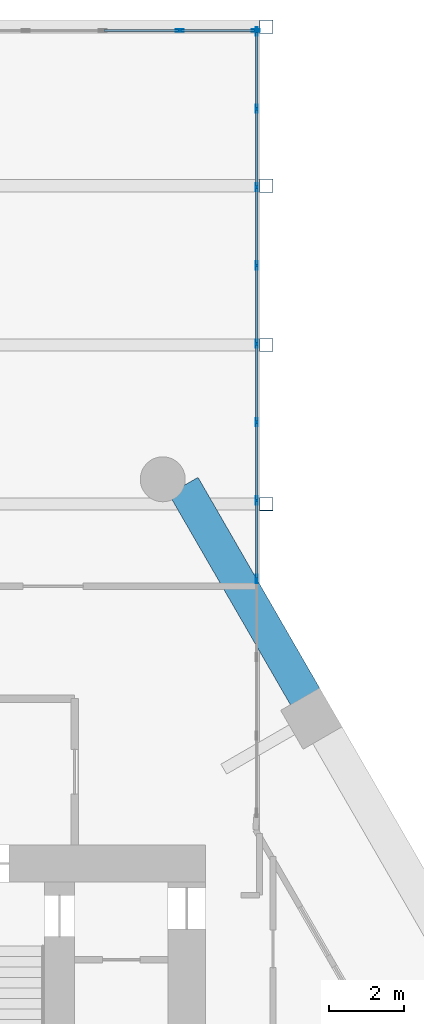
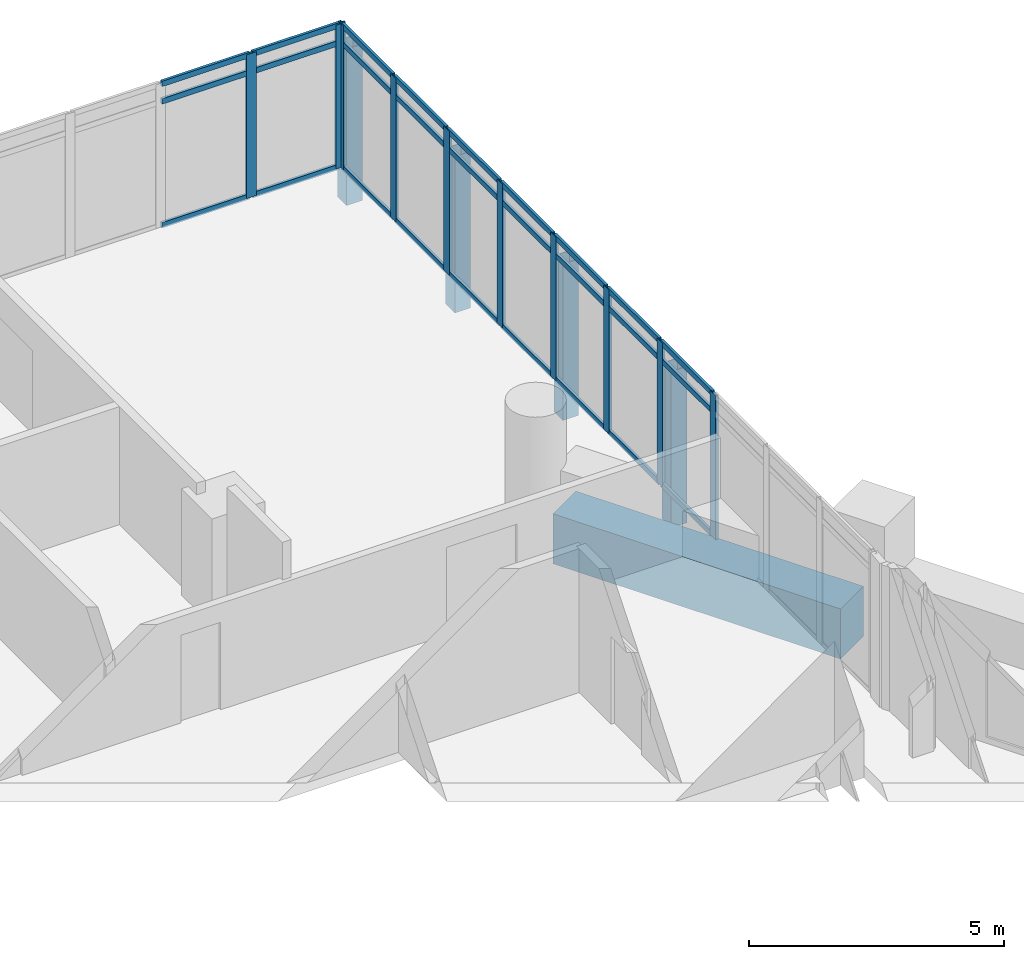
# One storey, part 19 of 28: 41 members, 1 beam, 2 elements without a shape of their own.
"""IFC4 building model written with IfcOpenShell, lengths in metres."""

from ifc_helpers import new_model, si_unit, direction, frame, origin, origin_2d, place, context, subcontext, project, spatial, rectangle, hollow_rectangle, extrude, material, material_profile, profile_set, type_object, element, aggregate, save


model = new_model("IFC4")

# Units and contexts
model_context = context("Model", 3, precision=1e-05, world=origin(), true_north=direction((0.0, 1.0)))
body_context = subcontext(model_context, "Body", "Model", "MODEL_VIEW")
ifc_project = project(units=[si_unit("LENGTHUNIT", "METRE"), si_unit("AREAUNIT", "SQUARE_METRE"), si_unit("VOLUMEUNIT", "CUBIC_METRE"), si_unit("PLANEANGLEUNIT", "RADIAN"), si_unit("MASSUNIT", "GRAM", prefix="KILO")], contexts=[model_context])

# Site, building, storey
site_placement = place(None, origin())
site = spatial("IfcSite", under=ifc_project, at=site_placement, CompositionType="ELEMENT")
building_placement = place(site_placement, origin())
building = spatial("IfcBuilding", under=site, at=building_placement, Name="Ostrander Bayou Hotel Tower", CompositionType="ELEMENT")
storey_placement = place(building_placement, frame((0.0, 0.0, 100.5)))
storey = spatial("IfcBuildingStorey", under=building, at=storey_placement, Name="L25", CompositionType="ELEMENT", Elevation=100.5)

# Curtain wall, members
ifc_material_1 = material(Name="Aluminium and clear glass", Category="aluminium")
curtain_wall_type = type_object("IfcCurtainWallType", Name="CW-BAR glazed wall", PredefinedType="NOTDEFINED", material=ifc_material_1)
curtain_wall_1_placement = place(storey_placement, origin())
curtain_wall_1 = element("IfcCurtainWall", 1, at=curtain_wall_1_placement, inside=storey, type_object=curtain_wall_type, Name="CW-BAR L25:SB2N:T", PredefinedType="NOTDEFINED")
ifc_material_2 = material(Name="Aluminium", Category="aluminium")
ifc_material_profile_1 = material_profile(ifc_material_2, hollow_rectangle(XDim=0.06005859375, YDim=0.219970703125, WallThickness=0.00390625, at=origin_2d()))
ifc_profile_set_1 = profile_set([ifc_material_profile_1], Name="Aluminium")
member_type_1 = type_object("IfcMemberType", Name="CW-BR mullion 60 x 220 mm", PredefinedType="MULLION", material=ifc_profile_set_1)
member_1_placement = place(storey_placement, frame((11.310791015625, 31.4453125, 0.0), z_axis=(0.0, 0.0, 1.0), x_axis=(0.0, 1.0, 0.0)))
member_1 = element("IfcMember", 2, at=member_1_placement, type_object=member_type_1, Name="CW-BAR mullion 13", PredefinedType="MULLION", context=body_context, shape_type="SweptSolid", body=[
    extrude(hollow_rectangle(XDim=0.06005859375, YDim=0.219970703125, WallThickness=0.00390625, at=origin_2d()), origin(), (0.0, 0.0, 1.0), 3.449951171875),
])
member_2_placement = place(storey_placement, frame((13.337158203125, 31.4453125, 0.0), z_axis=(0.0, 0.0, 1.0), x_axis=(0.0, 1.0, 0.0)))
member_2 = element("IfcMember", 3, at=member_2_placement, type_object=member_type_1, Name="CW-BAR mullion 14", PredefinedType="MULLION", context=body_context, shape_type="SweptSolid", body=[
    extrude(hollow_rectangle(XDim=0.06005859375, YDim=0.219970703125, WallThickness=0.00390625, at=origin_2d()), origin(), (0.0, 0.0, 1.0), 3.449951171875),
])

curtain_wall_2_placement = place(storey_placement, origin())
curtain_wall_2 = element("IfcCurtainWall", 4, at=curtain_wall_2_placement, inside=storey, type_object=curtain_wall_type, Name="CW-BAR L25:SB2N:W", PredefinedType="NOTDEFINED")
member_3_placement = place(storey_placement, frame((13.3671875, 16.797607421875, 0.0), z_axis=(0.0, 0.0, 1.0), x_axis=(-1.0, 0.0, 0.0)))
member_3 = element("IfcMember", 5, at=member_3_placement, type_object=member_type_1, Name="CW-BAR mullion 4", PredefinedType="MULLION", context=body_context, shape_type="SweptSolid", body=[
    extrude(hollow_rectangle(XDim=0.06005859375, YDim=0.219970703125, WallThickness=0.00390625, at=origin_2d()), origin(), (0.0, 0.0, 1.0), 3.449951171875),
])
member_4_placement = place(storey_placement, frame((13.3671875, 18.89013671875, 0.0), z_axis=(0.0, 0.0, 1.0), x_axis=(-1.0, 0.0, 0.0)))
member_4 = element("IfcMember", 6, at=member_4_placement, type_object=member_type_1, Name="CW-BAR mullion 5", PredefinedType="MULLION", context=body_context, shape_type="SweptSolid", body=[
    extrude(hollow_rectangle(XDim=0.06005859375, YDim=0.219970703125, WallThickness=0.00390625, at=origin_2d()), origin(), (0.0, 0.0, 1.0), 3.449951171875),
])
member_5_placement = place(storey_placement, frame((13.3671875, 20.982666015625, 0.0), z_axis=(0.0, 0.0, 1.0), x_axis=(-1.0, 0.0, 0.0)))
member_5 = element("IfcMember", 7, at=member_5_placement, type_object=member_type_1, Name="CW-BAR mullion 6", PredefinedType="MULLION", context=body_context, shape_type="SweptSolid", body=[
    extrude(hollow_rectangle(XDim=0.06005859375, YDim=0.219970703125, WallThickness=0.00390625, at=origin_2d()), origin(), (0.0, 0.0, 1.0), 3.449951171875),
])
member_6_placement = place(storey_placement, frame((13.3671875, 23.0751953125, 0.0), z_axis=(0.0, 0.0, 1.0), x_axis=(-1.0, 0.0, 0.0)))
member_6 = element("IfcMember", 8, at=member_6_placement, type_object=member_type_1, Name="CW-BAR mullion 7", PredefinedType="MULLION", context=body_context, shape_type="SweptSolid", body=[
    extrude(hollow_rectangle(XDim=0.06005859375, YDim=0.219970703125, WallThickness=0.00390625, at=origin_2d()), origin(), (0.0, 0.0, 1.0), 3.449951171875),
])
member_7_placement = place(storey_placement, frame((13.3671875, 25.167724609375, 0.0), z_axis=(0.0, 0.0, 1.0), x_axis=(-1.0, 0.0, 0.0)))
member_7 = element("IfcMember", 9, at=member_7_placement, type_object=member_type_1, Name="CW-BAR mullion 8", PredefinedType="MULLION", context=body_context, shape_type="SweptSolid", body=[
    extrude(hollow_rectangle(XDim=0.06005859375, YDim=0.219970703125, WallThickness=0.00390625, at=origin_2d()), origin(), (0.0, 0.0, 1.0), 3.449951171875),
])
member_8_placement = place(storey_placement, frame((13.3671875, 27.26025390625, 0.0), z_axis=(0.0, 0.0, 1.0), x_axis=(-1.0, 0.0, 0.0)))
member_8 = element("IfcMember", 10, at=member_8_placement, type_object=member_type_1, Name="CW-BAR mullion 9", PredefinedType="MULLION", context=body_context, shape_type="SweptSolid", body=[
    extrude(hollow_rectangle(XDim=0.06005859375, YDim=0.219970703125, WallThickness=0.00390625, at=origin_2d()), origin(), (0.0, 0.0, 1.0), 3.449951171875),
])
member_9_placement = place(storey_placement, frame((13.3671875, 29.352783203125, 0.0), z_axis=(0.0, 0.0, 1.0), x_axis=(-1.0, 0.0, 0.0)))
member_9 = element("IfcMember", 11, at=member_9_placement, type_object=member_type_1, Name="CW-BAR mullion 10", PredefinedType="MULLION", context=body_context, shape_type="SweptSolid", body=[
    extrude(hollow_rectangle(XDim=0.06005859375, YDim=0.219970703125, WallThickness=0.00390625, at=origin_2d()), origin(), (0.0, 0.0, 1.0), 3.449951171875),
])
member_10_placement = place(storey_placement, frame((13.3671875, 31.415283203125, 0.0), z_axis=(0.0, 0.0, 1.0), x_axis=(-1.0, 0.0, 0.0)))
member_10 = element("IfcMember", 12, at=member_10_placement, type_object=member_type_1, Name="CW-BAR mullion 11", PredefinedType="MULLION", context=body_context, shape_type="SweptSolid", body=[
    extrude(hollow_rectangle(XDim=0.06005859375, YDim=0.219970703125, WallThickness=0.00390625, at=origin_2d()), origin(), (0.0, 0.0, 1.0), 3.449951171875),
])

# Member
ifc_material_3 = material(Name="Aluminium", Category="aluminium")
ifc_material_profile_2 = material_profile(ifc_material_3, hollow_rectangle(XDim=0.06005859375, YDim=0.1298828125, WallThickness=0.00390625, at=origin_2d()))
ifc_profile_set_2 = profile_set([ifc_material_profile_2], Name="Aluminium")
member_type_2 = type_object("IfcMemberType", Name="CW-BR transom 60 x 130 mm", PredefinedType="USERDEFINED", material=ifc_profile_set_2)
member_11_placement = place(storey_placement, frame((9.2841796875, 31.4453125, 0.030029296875), z_axis=(1.0, 0.0, 0.0), x_axis=(0.0, 1.0, 0.0)))
member_11 = element("IfcMember", 13, at=member_11_placement, type_object=member_type_2, Name="CW-BAR transom 12.1", ObjectType="TRANSOM", PredefinedType="USERDEFINED", context=body_context, shape_type="SweptSolid", body=[
    extrude(hollow_rectangle(XDim=0.06005859375, YDim=0.1298828125, WallThickness=0.00390625, at=origin_2d()), origin(), (0.0, 0.0, 1.0), 1.99658203125),
])

member_12_placement = place(storey_placement, frame((9.2841796875, 31.4453125, 3.0), z_axis=(1.0, 0.0, 0.0), x_axis=(0.0, 1.0, 0.0)))
member_12 = element("IfcMember", 14, at=member_12_placement, type_object=member_type_2, Name="CW-BAR transom 12.2", ObjectType="TRANSOM", PredefinedType="USERDEFINED", context=body_context, shape_type="SweptSolid", body=[
    extrude(hollow_rectangle(XDim=0.06005859375, YDim=0.1298828125, WallThickness=0.00390625, at=origin_2d()), origin(), (0.0, 0.0, 1.0), 1.99658203125),
])

member_13_placement = place(storey_placement, frame((9.2841796875, 31.4453125, 3.419921875), z_axis=(1.0, 0.0, 0.0), x_axis=(0.0, 1.0, 0.0)))
member_13 = element("IfcMember", 15, at=member_13_placement, type_object=member_type_2, Name="CW-BAR transom 12.3", ObjectType="TRANSOM", PredefinedType="USERDEFINED", context=body_context, shape_type="SweptSolid", body=[
    extrude(hollow_rectangle(XDim=0.06005859375, YDim=0.1298828125, WallThickness=0.00390625, at=origin_2d()), origin(), (0.0, 0.0, 1.0), 1.99658203125),
])

member_14_placement = place(storey_placement, frame((11.3408203125, 31.4453125, 0.030029296875), z_axis=(1.0, 0.0, 0.0), x_axis=(0.0, 1.0, 0.0)))
member_14 = element("IfcMember", 16, at=member_14_placement, type_object=member_type_2, Name="CW-BAR transom 13.1", ObjectType="TRANSOM", PredefinedType="USERDEFINED", context=body_context, shape_type="SweptSolid", body=[
    extrude(hollow_rectangle(XDim=0.06005859375, YDim=0.1298828125, WallThickness=0.00390625, at=origin_2d()), origin(), (0.0, 0.0, 1.0), 1.96630859375),
])

member_15_placement = place(storey_placement, frame((11.3408203125, 31.4453125, 3.0), z_axis=(1.0, 0.0, 0.0), x_axis=(0.0, 1.0, 0.0)))
member_15 = element("IfcMember", 17, at=member_15_placement, type_object=member_type_2, Name="CW-BAR transom 13.2", ObjectType="TRANSOM", PredefinedType="USERDEFINED", context=body_context, shape_type="SweptSolid", body=[
    extrude(hollow_rectangle(XDim=0.06005859375, YDim=0.1298828125, WallThickness=0.00390625, at=origin_2d()), origin(), (0.0, 0.0, 1.0), 1.96630859375),
])

member_16_placement = place(storey_placement, frame((11.3408203125, 31.4453125, 3.419921875), z_axis=(1.0, 0.0, 0.0), x_axis=(0.0, 1.0, 0.0)))
member_16 = element("IfcMember", 18, at=member_16_placement, type_object=member_type_2, Name="CW-BAR transom 13.3", ObjectType="TRANSOM", PredefinedType="USERDEFINED", context=body_context, shape_type="SweptSolid", body=[
    extrude(hollow_rectangle(XDim=0.06005859375, YDim=0.1298828125, WallThickness=0.00390625, at=origin_2d()), origin(), (0.0, 0.0, 1.0), 1.96630859375),
])

aggregate(curtain_wall_1, [member_1, member_2, member_11, member_12, member_13, member_14, member_15, member_16])

member_17_placement = place(storey_placement, frame((13.3671875, 16.82763671875, 0.030029296875), z_axis=(0.0, 1.0, 0.0), x_axis=(-1.0, 0.0, 0.0)))
member_17 = element("IfcMember", 19, at=member_17_placement, type_object=member_type_2, Name="CW-BAR transom 4.1", ObjectType="TRANSOM", PredefinedType="USERDEFINED", context=body_context, shape_type="SweptSolid", body=[
    extrude(hollow_rectangle(XDim=0.06005859375, YDim=0.1298828125, WallThickness=0.00390625, at=origin_2d()), origin(), (0.0, 0.0, 1.0), 2.032470703125),
])

member_18_placement = place(storey_placement, frame((13.3671875, 16.82763671875, 3.0), z_axis=(0.0, 1.0, 0.0), x_axis=(-1.0, 0.0, 0.0)))
member_18 = element("IfcMember", 20, at=member_18_placement, type_object=member_type_2, Name="CW-BAR transom 4.2", ObjectType="TRANSOM", PredefinedType="USERDEFINED", context=body_context, shape_type="SweptSolid", body=[
    extrude(hollow_rectangle(XDim=0.06005859375, YDim=0.1298828125, WallThickness=0.00390625, at=origin_2d()), origin(), (0.0, 0.0, 1.0), 2.032470703125),
])

member_19_placement = place(storey_placement, frame((13.3671875, 16.82763671875, 3.419921875), z_axis=(0.0, 1.0, 0.0), x_axis=(-1.0, 0.0, 0.0)))
member_19 = element("IfcMember", 21, at=member_19_placement, type_object=member_type_2, Name="CW-BAR transom 4.3", ObjectType="TRANSOM", PredefinedType="USERDEFINED", context=body_context, shape_type="SweptSolid", body=[
    extrude(hollow_rectangle(XDim=0.06005859375, YDim=0.1298828125, WallThickness=0.00390625, at=origin_2d()), origin(), (0.0, 0.0, 1.0), 2.032470703125),
])

member_20_placement = place(storey_placement, frame((13.3671875, 18.920166015625, 0.030029296875), z_axis=(0.0, 1.0, 0.0), x_axis=(-1.0, 0.0, 0.0)))
member_20 = element("IfcMember", 22, at=member_20_placement, type_object=member_type_2, Name="CW-BAR transom 5.1", ObjectType="TRANSOM", PredefinedType="USERDEFINED", context=body_context, shape_type="SweptSolid", body=[
    extrude(hollow_rectangle(XDim=0.06005859375, YDim=0.1298828125, WallThickness=0.00390625, at=origin_2d()), origin(), (0.0, 0.0, 1.0), 2.032470703125),
])

member_21_placement = place(storey_placement, frame((13.3671875, 18.920166015625, 3.0), z_axis=(0.0, 1.0, 0.0), x_axis=(-1.0, 0.0, 0.0)))
member_21 = element("IfcMember", 23, at=member_21_placement, type_object=member_type_2, Name="CW-BAR transom 5.2", ObjectType="TRANSOM", PredefinedType="USERDEFINED", context=body_context, shape_type="SweptSolid", body=[
    extrude(hollow_rectangle(XDim=0.06005859375, YDim=0.1298828125, WallThickness=0.00390625, at=origin_2d()), origin(), (0.0, 0.0, 1.0), 2.032470703125),
])

member_22_placement = place(storey_placement, frame((13.3671875, 18.920166015625, 3.419921875), z_axis=(0.0, 1.0, 0.0), x_axis=(-1.0, 0.0, 0.0)))
member_22 = element("IfcMember", 24, at=member_22_placement, type_object=member_type_2, Name="CW-BAR transom 5.3", ObjectType="TRANSOM", PredefinedType="USERDEFINED", context=body_context, shape_type="SweptSolid", body=[
    extrude(hollow_rectangle(XDim=0.06005859375, YDim=0.1298828125, WallThickness=0.00390625, at=origin_2d()), origin(), (0.0, 0.0, 1.0), 2.032470703125),
])

member_23_placement = place(storey_placement, frame((13.3671875, 21.0126953125, 0.030029296875), z_axis=(0.0, 1.0, 0.0), x_axis=(-1.0, 0.0, 0.0)))
member_23 = element("IfcMember", 25, at=member_23_placement, type_object=member_type_2, Name="CW-BAR transom 6.1", ObjectType="TRANSOM", PredefinedType="USERDEFINED", context=body_context, shape_type="SweptSolid", body=[
    extrude(hollow_rectangle(XDim=0.06005859375, YDim=0.1298828125, WallThickness=0.00390625, at=origin_2d()), origin(), (0.0, 0.0, 1.0), 2.032470703125),
])

member_24_placement = place(storey_placement, frame((13.3671875, 21.0126953125, 3.0), z_axis=(0.0, 1.0, 0.0), x_axis=(-1.0, 0.0, 0.0)))
member_24 = element("IfcMember", 26, at=member_24_placement, type_object=member_type_2, Name="CW-BAR transom 6.2", ObjectType="TRANSOM", PredefinedType="USERDEFINED", context=body_context, shape_type="SweptSolid", body=[
    extrude(hollow_rectangle(XDim=0.06005859375, YDim=0.1298828125, WallThickness=0.00390625, at=origin_2d()), origin(), (0.0, 0.0, 1.0), 2.032470703125),
])

member_25_placement = place(storey_placement, frame((13.3671875, 21.0126953125, 3.419921875), z_axis=(0.0, 1.0, 0.0), x_axis=(-1.0, 0.0, 0.0)))
member_25 = element("IfcMember", 27, at=member_25_placement, type_object=member_type_2, Name="CW-BAR transom 6.3", ObjectType="TRANSOM", PredefinedType="USERDEFINED", context=body_context, shape_type="SweptSolid", body=[
    extrude(hollow_rectangle(XDim=0.06005859375, YDim=0.1298828125, WallThickness=0.00390625, at=origin_2d()), origin(), (0.0, 0.0, 1.0), 2.032470703125),
])

member_26_placement = place(storey_placement, frame((13.3671875, 23.105224609375, 0.030029296875), z_axis=(0.0, 1.0, 0.0), x_axis=(-1.0, 0.0, 0.0)))
member_26 = element("IfcMember", 28, at=member_26_placement, type_object=member_type_2, Name="CW-BAR transom 7.1", ObjectType="TRANSOM", PredefinedType="USERDEFINED", context=body_context, shape_type="SweptSolid", body=[
    extrude(hollow_rectangle(XDim=0.06005859375, YDim=0.1298828125, WallThickness=0.00390625, at=origin_2d()), origin(), (0.0, 0.0, 1.0), 2.032470703125),
])

member_27_placement = place(storey_placement, frame((13.3671875, 23.105224609375, 3.0), z_axis=(0.0, 1.0, 0.0), x_axis=(-1.0, 0.0, 0.0)))
member_27 = element("IfcMember", 29, at=member_27_placement, type_object=member_type_2, Name="CW-BAR transom 7.2", ObjectType="TRANSOM", PredefinedType="USERDEFINED", context=body_context, shape_type="SweptSolid", body=[
    extrude(hollow_rectangle(XDim=0.06005859375, YDim=0.1298828125, WallThickness=0.00390625, at=origin_2d()), origin(), (0.0, 0.0, 1.0), 2.032470703125),
])

member_28_placement = place(storey_placement, frame((13.3671875, 23.105224609375, 3.419921875), z_axis=(0.0, 1.0, 0.0), x_axis=(-1.0, 0.0, 0.0)))
member_28 = element("IfcMember", 30, at=member_28_placement, type_object=member_type_2, Name="CW-BAR transom 7.3", ObjectType="TRANSOM", PredefinedType="USERDEFINED", context=body_context, shape_type="SweptSolid", body=[
    extrude(hollow_rectangle(XDim=0.06005859375, YDim=0.1298828125, WallThickness=0.00390625, at=origin_2d()), origin(), (0.0, 0.0, 1.0), 2.032470703125),
])

member_29_placement = place(storey_placement, frame((13.3671875, 25.19775390625, 0.030029296875), z_axis=(0.0, 1.0, 0.0), x_axis=(-1.0, 0.0, 0.0)))
member_29 = element("IfcMember", 31, at=member_29_placement, type_object=member_type_2, Name="CW-BAR transom 8.1", ObjectType="TRANSOM", PredefinedType="USERDEFINED", context=body_context, shape_type="SweptSolid", body=[
    extrude(hollow_rectangle(XDim=0.06005859375, YDim=0.1298828125, WallThickness=0.00390625, at=origin_2d()), origin(), (0.0, 0.0, 1.0), 2.032470703125),
])

member_30_placement = place(storey_placement, frame((13.3671875, 25.19775390625, 3.0), z_axis=(0.0, 1.0, 0.0), x_axis=(-1.0, 0.0, 0.0)))
member_30 = element("IfcMember", 32, at=member_30_placement, type_object=member_type_2, Name="CW-BAR transom 8.2", ObjectType="TRANSOM", PredefinedType="USERDEFINED", context=body_context, shape_type="SweptSolid", body=[
    extrude(hollow_rectangle(XDim=0.06005859375, YDim=0.1298828125, WallThickness=0.00390625, at=origin_2d()), origin(), (0.0, 0.0, 1.0), 2.032470703125),
])

member_31_placement = place(storey_placement, frame((13.3671875, 25.19775390625, 3.419921875), z_axis=(0.0, 1.0, 0.0), x_axis=(-1.0, 0.0, 0.0)))
member_31 = element("IfcMember", 33, at=member_31_placement, type_object=member_type_2, Name="CW-BAR transom 8.3", ObjectType="TRANSOM", PredefinedType="USERDEFINED", context=body_context, shape_type="SweptSolid", body=[
    extrude(hollow_rectangle(XDim=0.06005859375, YDim=0.1298828125, WallThickness=0.00390625, at=origin_2d()), origin(), (0.0, 0.0, 1.0), 2.032470703125),
])

member_32_placement = place(storey_placement, frame((13.3671875, 27.290283203125, 0.030029296875), z_axis=(0.0, 1.0, 0.0), x_axis=(-1.0, 0.0, 0.0)))
member_32 = element("IfcMember", 34, at=member_32_placement, type_object=member_type_2, Name="CW-BAR transom 9.1", ObjectType="TRANSOM", PredefinedType="USERDEFINED", context=body_context, shape_type="SweptSolid", body=[
    extrude(hollow_rectangle(XDim=0.06005859375, YDim=0.1298828125, WallThickness=0.00390625, at=origin_2d()), origin(), (0.0, 0.0, 1.0), 2.032470703125),
])

member_33_placement = place(storey_placement, frame((13.3671875, 27.290283203125, 3.0), z_axis=(0.0, 1.0, 0.0), x_axis=(-1.0, 0.0, 0.0)))
member_33 = element("IfcMember", 35, at=member_33_placement, type_object=member_type_2, Name="CW-BAR transom 9.2", ObjectType="TRANSOM", PredefinedType="USERDEFINED", context=body_context, shape_type="SweptSolid", body=[
    extrude(hollow_rectangle(XDim=0.06005859375, YDim=0.1298828125, WallThickness=0.00390625, at=origin_2d()), origin(), (0.0, 0.0, 1.0), 2.032470703125),
])

member_34_placement = place(storey_placement, frame((13.3671875, 27.290283203125, 3.419921875), z_axis=(0.0, 1.0, 0.0), x_axis=(-1.0, 0.0, 0.0)))
member_34 = element("IfcMember", 36, at=member_34_placement, type_object=member_type_2, Name="CW-BAR transom 9.3", ObjectType="TRANSOM", PredefinedType="USERDEFINED", context=body_context, shape_type="SweptSolid", body=[
    extrude(hollow_rectangle(XDim=0.06005859375, YDim=0.1298828125, WallThickness=0.00390625, at=origin_2d()), origin(), (0.0, 0.0, 1.0), 2.032470703125),
])

member_35_placement = place(storey_placement, frame((13.3671875, 29.3828125, 0.030029296875), z_axis=(0.0, 1.0, 0.0), x_axis=(-1.0, 0.0, 0.0)))
member_35 = element("IfcMember", 37, at=member_35_placement, type_object=member_type_2, Name="CW-BAR transom 10.1", ObjectType="TRANSOM", PredefinedType="USERDEFINED", context=body_context, shape_type="SweptSolid", body=[
    extrude(hollow_rectangle(XDim=0.06005859375, YDim=0.1298828125, WallThickness=0.00390625, at=origin_2d()), origin(), (0.0, 0.0, 1.0), 2.002685546875),
])

member_36_placement = place(storey_placement, frame((13.3671875, 29.3828125, 3.0), z_axis=(0.0, 1.0, 0.0), x_axis=(-1.0, 0.0, 0.0)))
member_36 = element("IfcMember", 38, at=member_36_placement, type_object=member_type_2, Name="CW-BAR transom 10.2", ObjectType="TRANSOM", PredefinedType="USERDEFINED", context=body_context, shape_type="SweptSolid", body=[
    extrude(hollow_rectangle(XDim=0.06005859375, YDim=0.1298828125, WallThickness=0.00390625, at=origin_2d()), origin(), (0.0, 0.0, 1.0), 2.002685546875),
])

member_37_placement = place(storey_placement, frame((13.3671875, 29.3828125, 3.419921875), z_axis=(0.0, 1.0, 0.0), x_axis=(-1.0, 0.0, 0.0)))
member_37 = element("IfcMember", 39, at=member_37_placement, type_object=member_type_2, Name="CW-BAR transom 10.3", ObjectType="TRANSOM", PredefinedType="USERDEFINED", context=body_context, shape_type="SweptSolid", body=[
    extrude(hollow_rectangle(XDim=0.06005859375, YDim=0.1298828125, WallThickness=0.00390625, at=origin_2d()), origin(), (0.0, 0.0, 1.0), 2.002685546875),
])

aggregate(curtain_wall_2, [member_3, member_4, member_5, member_6, member_7, member_8, member_9, member_10, member_17, member_18, member_19, member_20, member_21, member_22, member_23, member_24, member_25, member_26, member_27, member_28, member_29, member_30, member_31, member_32, member_33, member_34, member_35, member_36, member_37])

# Beam
ifc_material_4 = material(Name="Concrete f'c 70 MPa", Category="concrete")
ifc_material_profile_3 = material_profile(ifc_material_4, rectangle(XDim=0.89990234375, YDim=1.199951171875, at=origin_2d()))
ifc_profile_set_3 = profile_set([ifc_material_profile_3], Name="Concrete f'c 70 MPa")
beam_type = type_object("IfcBeamType", Name="SP2 spandrel beam 900 x 1200 mm f'c 70 MPa", PredefinedType="SPANDREL", material=ifc_profile_set_3)
beam_placement = place(storey_placement, frame((14.668701171875, 13.63818359375, -0.60009765625), z_axis=(-0.499971966783, 0.866041588165, 0.0), x_axis=(-0.866041588165, -0.499971966783, 0.0)))
element("IfcBeam", 40, at=beam_placement, inside=storey, type_object=beam_type, Name="SP2 L25 NE-3", PredefinedType="SPANDREL", context=body_context, shape_type="SweptSolid", body=[
    extrude(rectangle(XDim=0.89990234375, YDim=1.199951171875, at=origin_2d()), origin(), (0.0, 0.0, 1.0), 6.521728515625),
])

# Members
ifc_material_5 = material(Name="Steel ASTM A500 Gr C", Category="steel")
ifc_material_profile_4 = material_profile(ifc_material_5, hollow_rectangle(XDim=0.355712890625, YDim=0.355712890625, WallThickness=0.0146484375, at=origin_2d()))
ifc_profile_set_4 = profile_set([ifc_material_profile_4], Name="Steel ASTM A500 Gr C")
member_type_3 = type_object("IfcMemberType", Name="TH1 bar hanger HSS14x14x5/8", PredefinedType="POST", material=ifc_profile_set_4)
for number, where, z_axis, x_axis, name in (
    (41, (13.6201171875, 31.54541015625, -0.921875), (0.0, 0.0, 1.0), (1.0, 0.0, 0.0), "TH1 SB2WB H1-3"),
    (42, (13.6201171875, 27.295654296875, -0.921875), (0.0, 0.0, 1.0), (1.0, 0.0, 0.0), "TH1 SB2WB H2-3"),
    (43, (13.6201171875, 23.0458984375, -0.921875), (0.0, 0.0, 1.0), (1.0, 0.0, 0.0), "TH1 SB2WB H3-3"),
    (44, (13.6201171875, 18.79638671875, -0.921875), (0.0, 0.0, 1.0), (1.0, 0.0, 0.0), "TH1 SB2WB H4-3"),
):
    element("IfcMember", number, at=place(storey_placement, frame(where, z_axis=z_axis, x_axis=x_axis)), inside=storey, type_object=member_type_3, Name=name, PredefinedType="POST", context=body_context, shape_type="SweptSolid", body=[
        extrude(hollow_rectangle(XDim=0.355712890625, YDim=0.355712890625, WallThickness=0.0146484375, at=origin_2d()), origin(), (0.0, 0.0, 1.0), 3.75),
    ])

save(model, "model.ifc")
